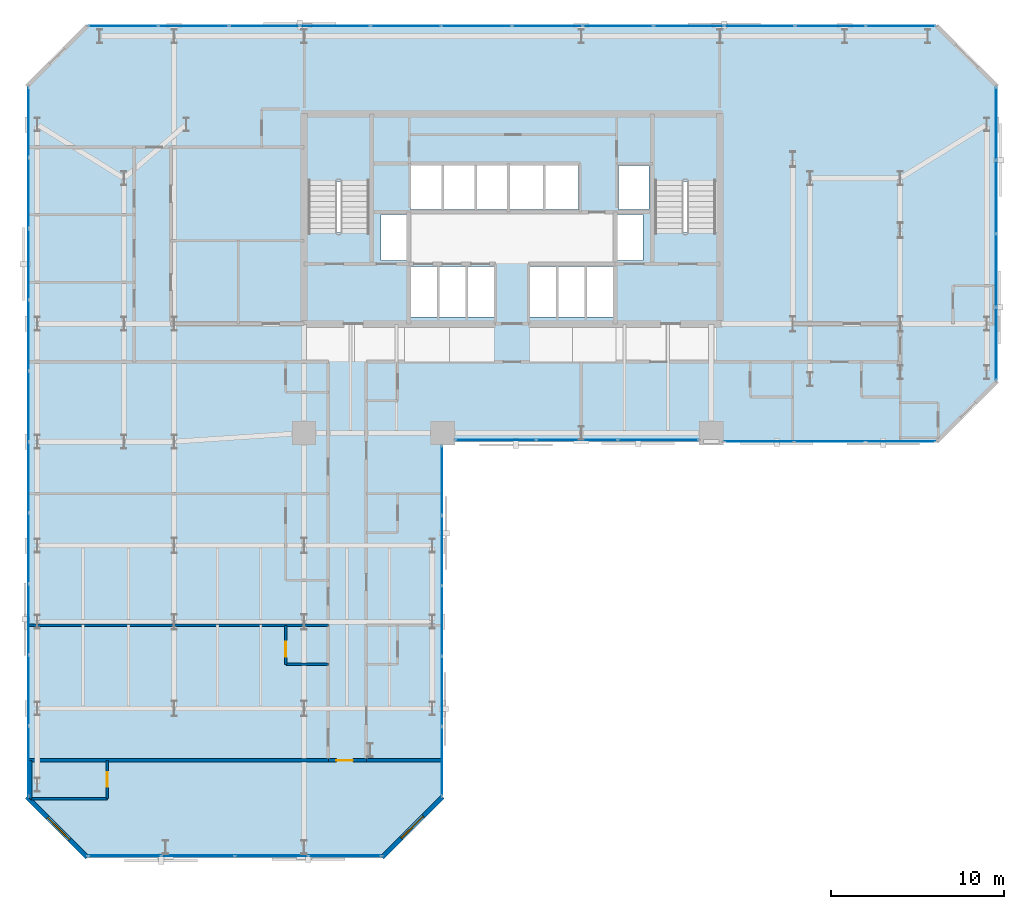
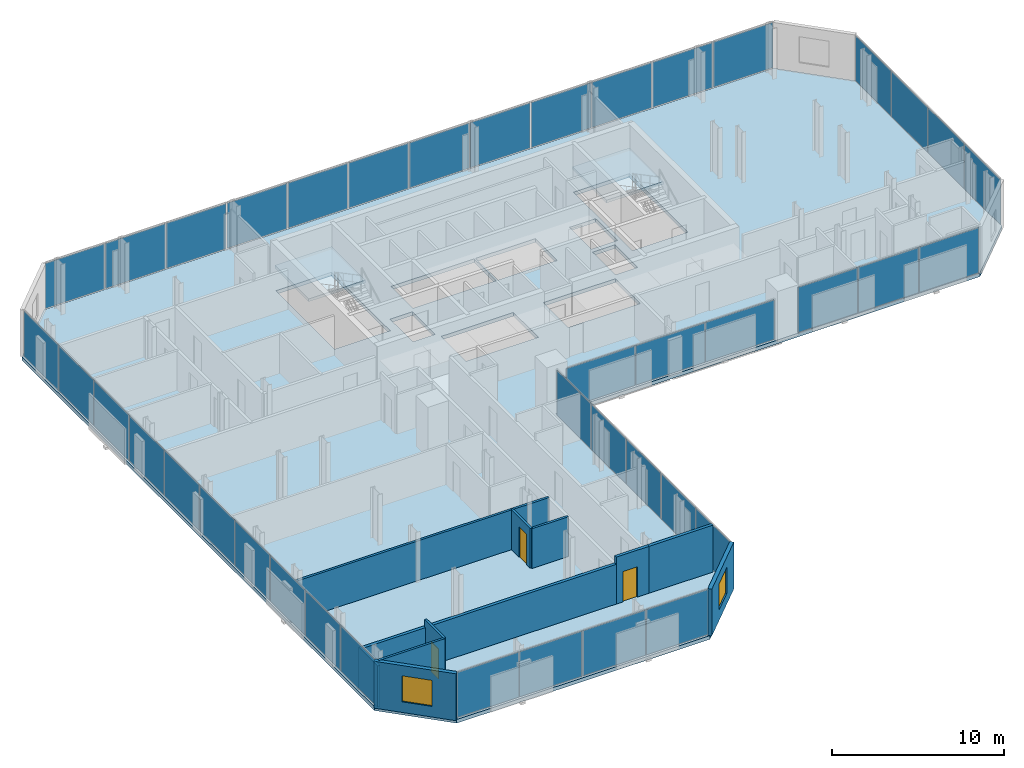
# One storey, part 28 of 33: 41 plates, 11 walls, 3 doors, 3 slabs, 2 windows, 5 openings, 9 elements without a shape of their own.
"""IFC4 building model written with IfcOpenShell, lengths in metres."""

from ifc_helpers import new_model, si_unit, direction, frame, frame_2d, origin, origin_2d, place, context, subcontext, project, spatial, polyline, rectangle, outline, extrude, material, layer, layer_set, type_object, element, fill, aggregate, save


model = new_model("IFC4")

# Units and contexts
model_context = context("Model", 3, precision=1e-05, world=origin(), true_north=direction((0.0, 1.0)))
body_context = subcontext(model_context, "Body", "Model", "MODEL_VIEW")
ifc_project = project(units=[si_unit("LENGTHUNIT", "METRE"), si_unit("AREAUNIT", "SQUARE_METRE"), si_unit("VOLUMEUNIT", "CUBIC_METRE"), si_unit("PLANEANGLEUNIT", "RADIAN"), si_unit("MASSUNIT", "GRAM", prefix="KILO")], contexts=[model_context])

# Site, building, storey
site_placement = place(None, origin())
site = spatial("IfcSite", under=ifc_project, at=site_placement, CompositionType="ELEMENT")
building_placement = place(site_placement, origin())
building = spatial("IfcBuilding", under=site, at=building_placement, Name="Catumbela Crestline Tower", CompositionType="ELEMENT")
storey_placement = place(building_placement, frame((0.0, 0.0, 43.8)))
storey = spatial("IfcBuildingStorey", under=building, at=storey_placement, Name="L10", CompositionType="ELEMENT", Elevation=43.8)

# Curtain wall, plates
ifc_material_1 = material(Name="Aluminium alloy AW-6060-T66", Category="aluminium")
ifc_layer_1 = layer(ifc_material_1, 0.18, Name="Aluminium alloy AW-6060-T66")
ifc_layer_set_1 = layer_set([ifc_layer_1], Name="Aluminium alloy AW-6060-T66")
curtain_wall_type = type_object("IfcCurtainWallType", Name="CWU-Z1", PredefinedType="USERDEFINED", material=ifc_layer_set_1)
curtain_wall_1_placement = place(storey_placement, origin())
curtain_wall_1 = element("IfcCurtainWall", 1, at=curtain_wall_1_placement, inside=storey, type_object=curtain_wall_type, Name="L10 Unitised Curtain Wall CW-L10-E0S1", ObjectType="UNITISED", PredefinedType="USERDEFINED")
ifc_material_2 = material(Name="Low-E laminated solar-control double glazing", Category="glass")
ifc_layer_2 = layer(ifc_material_2, 0.034, Name="Low-E laminated solar-control double glazing")
ifc_layer_set_2 = layer_set([ifc_layer_2], Name="Low-E laminated solar-control double glazing")
plate_type = type_object("IfcPlateType", Name="PNL-GLZ-Z1", PredefinedType="CURTAIN_PANEL", material=ifc_layer_set_2)
plate_1_placement = place(storey_placement, frame((5.6412, 0.1, 0.06), z_axis=(0.0, 0.0, 1.0), x_axis=(1.0, 0.0, 0.0)))
plate_1 = element("IfcPlate", 2, at=plate_1_placement, type_object=plate_type, Name="CWU-Z1 panel 1.1", PredefinedType="CURTAIN_PANEL", context=body_context, shape_type="SweptSolid", body=[
    extrude(rectangle(XDim=4.1525, YDim=0.034, at=origin_2d()), origin(), (0.0, 0.0, 1.0), 3.21),
])
plate_2_placement = place(storey_placement, frame((9.875, 0.1, 0.06), z_axis=(0.0, 0.0, 1.0), x_axis=(1.0, 0.0, 0.0)))
plate_2 = element("IfcPlate", 3, at=plate_2_placement, type_object=plate_type, Name="CWU-Z1 panel 2.1", PredefinedType="CURTAIN_PANEL", context=body_context, shape_type="SweptSolid", body=[
    extrude(rectangle(XDim=4.185, YDim=0.034, at=origin_2d()), origin(), (0.0, 0.0, 1.0), 3.21),
])
plate_3_placement = place(storey_placement, frame((14.125, 0.1, 0.06), z_axis=(0.0, 0.0, 1.0), x_axis=(1.0, 0.0, 0.0)))
plate_3 = element("IfcPlate", 4, at=plate_3_placement, type_object=plate_type, Name="CWU-Z1 panel 3.1", PredefinedType="CURTAIN_PANEL", context=body_context, shape_type="SweptSolid", body=[
    extrude(rectangle(XDim=4.185, YDim=0.034, at=origin_2d()), origin(), (0.0, 0.0, 1.0), 3.21),
])
plate_4_placement = place(storey_placement, frame((18.3588, 0.1, 0.06), z_axis=(0.0, 0.0, 1.0), x_axis=(1.0, 0.0, 0.0)))
plate_4 = element("IfcPlate", 5, at=plate_4_placement, type_object=plate_type, Name="CWU-Z1 panel 4.1", PredefinedType="CURTAIN_PANEL", context=body_context, shape_type="SweptSolid", body=[
    extrude(rectangle(XDim=4.1525, YDim=0.034, at=origin_2d()), origin(), (0.0, 0.0, 1.0), 3.21),
])
aggregate(curtain_wall_1, [plate_1, plate_2, plate_3, plate_4])

curtain_wall_2_placement = place(storey_placement, origin())
curtain_wall_2 = element("IfcCurtainWall", 6, at=curtain_wall_2_placement, inside=storey, type_object=curtain_wall_type, Name="L10 Unitised Curtain Wall CW-L10-E2S1", ObjectType="UNITISED", PredefinedType="USERDEFINED")
plate_5_placement = place(storey_placement, frame((23.95, 5.5462, 0.06), z_axis=(0.0, 0.0, 1.0), x_axis=(0.0, 1.0, 0.0)))
plate_5 = element("IfcPlate", 7, at=plate_5_placement, type_object=plate_type, Name="CWU-Z1 panel 1.1", PredefinedType="CURTAIN_PANEL", context=body_context, shape_type="SweptSolid", body=[
    extrude(rectangle(XDim=3.9625, YDim=0.034, at=origin_2d()), origin(), (0.0, 0.0, 1.0), 3.21),
])
plate_6_placement = place(storey_placement, frame((23.95, 9.59, 0.06), z_axis=(0.0, 0.0, 1.0), x_axis=(0.0, 1.0, 0.0)))
plate_6 = element("IfcPlate", 8, at=plate_6_placement, type_object=plate_type, Name="CWU-Z1 panel 2.1", PredefinedType="CURTAIN_PANEL", context=body_context, shape_type="SweptSolid", body=[
    extrude(rectangle(XDim=3.995, YDim=0.034, at=origin_2d()), origin(), (0.0, 0.0, 1.0), 3.21),
])
plate_7_placement = place(storey_placement, frame((23.95, 13.65, 0.06), z_axis=(0.0, 0.0, 1.0), x_axis=(0.0, 1.0, 0.0)))
plate_7 = element("IfcPlate", 9, at=plate_7_placement, type_object=plate_type, Name="CWU-Z1 panel 3.1", PredefinedType="CURTAIN_PANEL", context=body_context, shape_type="SweptSolid", body=[
    extrude(rectangle(XDim=3.995, YDim=0.034, at=origin_2d()), origin(), (0.0, 0.0, 1.0), 3.21),
])
plate_8_placement = place(storey_placement, frame((23.95, 17.71, 0.06), z_axis=(0.0, 0.0, 1.0), x_axis=(0.0, 1.0, 0.0)))
plate_8 = element("IfcPlate", 10, at=plate_8_placement, type_object=plate_type, Name="CWU-Z1 panel 4.1", PredefinedType="CURTAIN_PANEL", context=body_context, shape_type="SweptSolid", body=[
    extrude(rectangle(XDim=3.995, YDim=0.034, at=origin_2d()), origin(), (0.0, 0.0, 1.0), 3.21),
])
plate_9_placement = place(storey_placement, frame((23.95, 21.7538, 0.06), z_axis=(0.0, 0.0, 1.0), x_axis=(0.0, 1.0, 0.0)))
plate_9 = element("IfcPlate", 11, at=plate_9_placement, type_object=plate_type, Name="CWU-Z1 panel 5.1", PredefinedType="CURTAIN_PANEL", context=body_context, shape_type="SweptSolid", body=[
    extrude(rectangle(XDim=3.9625, YDim=0.034, at=origin_2d()), origin(), (0.0, 0.0, 1.0), 3.21),
])
aggregate(curtain_wall_2, [plate_5, plate_6, plate_7, plate_8, plate_9])

curtain_wall_3_placement = place(storey_placement, origin())
curtain_wall_3 = element("IfcCurtainWall", 12, at=curtain_wall_3_placement, inside=storey, type_object=curtain_wall_type, Name="L10 Unitised Curtain Wall CW-L10-E3S1", ObjectType="UNITISED", PredefinedType="USERDEFINED")
plate_10_placement = place(storey_placement, frame((27.0662, 24.1, 0.06), z_axis=(0.0, 0.0, 1.0), x_axis=(1.0, 0.0, 0.0)))
plate_10 = element("IfcPlate", 13, at=plate_10_placement, type_object=plate_type, Name="CWU-Z1 panel 1.1", PredefinedType="CURTAIN_PANEL", context=body_context, shape_type="SweptSolid", body=[
    extrude(rectangle(XDim=4.6025, YDim=0.034, at=origin_2d()), origin(), (0.0, 0.0, 1.0), 2.81),
])
plate_11_placement = place(storey_placement, frame((31.75, 24.1, 0.06), z_axis=(0.0, 0.0, 1.0), x_axis=(1.0, 0.0, 0.0)))
plate_11 = element("IfcPlate", 14, at=plate_11_placement, type_object=plate_type, Name="CWU-Z1 panel 2.1", PredefinedType="CURTAIN_PANEL", context=body_context, shape_type="SweptSolid", body=[
    extrude(rectangle(XDim=4.635, YDim=0.034, at=origin_2d()), origin(), (0.0, 0.0, 1.0), 2.81),
])
plate_12_placement = place(storey_placement, frame((36.4338, 24.1, 0.06), z_axis=(0.0, 0.0, 1.0), x_axis=(1.0, 0.0, 0.0)))
plate_12 = element("IfcPlate", 15, at=plate_12_placement, type_object=plate_type, Name="CWU-Z1 panel 3.1", PredefinedType="CURTAIN_PANEL", context=body_context, shape_type="SweptSolid", body=[
    extrude(rectangle(XDim=4.6025, YDim=0.034, at=origin_2d()), origin(), (0.0, 0.0, 1.0), 2.81),
])
aggregate(curtain_wall_3, [plate_10, plate_11, plate_12])

curtain_wall_4_placement = place(storey_placement, origin())
curtain_wall_4 = element("IfcCurtainWall", 16, at=curtain_wall_4_placement, inside=storey, type_object=curtain_wall_type, Name="L10 Unitised Curtain Wall CW-L10-E3S2", ObjectType="UNITISED", PredefinedType="USERDEFINED")
plate_13_placement = place(storey_placement, frame((42.2662, 24.0, 0.06), z_axis=(0.0, 0.0, 1.0), x_axis=(1.0, 0.0, 0.0)))
plate_13 = element("IfcPlate", 17, at=plate_13_placement, type_object=plate_type, Name="CWU-Z1 panel 1.1", PredefinedType="CURTAIN_PANEL", context=body_context, shape_type="SweptSolid", body=[
    extrude(rectangle(XDim=4.0025, YDim=0.034, at=origin_2d()), origin(), (0.0, 0.0, 1.0), 3.21),
])
plate_14_placement = place(storey_placement, frame((46.35, 24.0, 0.06), z_axis=(0.0, 0.0, 1.0), x_axis=(1.0, 0.0, 0.0)))
plate_14 = element("IfcPlate", 18, at=plate_14_placement, type_object=plate_type, Name="CWU-Z1 panel 2.1", PredefinedType="CURTAIN_PANEL", context=body_context, shape_type="SweptSolid", body=[
    extrude(rectangle(XDim=4.035, YDim=0.034, at=origin_2d()), origin(), (0.0, 0.0, 1.0), 3.21),
])
plate_15_placement = place(storey_placement, frame((50.4338, 24.0, 0.06), z_axis=(0.0, 0.0, 1.0), x_axis=(1.0, 0.0, 0.0)))
plate_15 = element("IfcPlate", 19, at=plate_15_placement, type_object=plate_type, Name="CWU-Z1 panel 3.1", PredefinedType="CURTAIN_PANEL", context=body_context, shape_type="SweptSolid", body=[
    extrude(rectangle(XDim=4.0025, YDim=0.034, at=origin_2d()), origin(), (0.0, 0.0, 1.0), 3.21),
])
aggregate(curtain_wall_4, [plate_13, plate_14, plate_15])

curtain_wall_5_placement = place(storey_placement, origin())
curtain_wall_5 = element("IfcCurtainWall", 20, at=curtain_wall_5_placement, inside=storey, type_object=curtain_wall_type, Name="L10 Unitised Curtain Wall CW-L10-E5S1", ObjectType="UNITISED", PredefinedType="USERDEFINED")
plate_16_placement = place(storey_placement, frame((55.95, 29.6412, 0.06), z_axis=(0.0, 0.0, 1.0), x_axis=(0.0, 1.0, 0.0)))
plate_16 = element("IfcPlate", 21, at=plate_16_placement, type_object=plate_type, Name="CWU-Z1 panel 1.1", PredefinedType="CURTAIN_PANEL", context=body_context, shape_type="SweptSolid", body=[
    extrude(rectangle(XDim=4.1525, YDim=0.034, at=origin_2d()), origin(), (0.0, 0.0, 1.0), 3.21),
])
plate_17_placement = place(storey_placement, frame((55.95, 33.875, 0.06), z_axis=(0.0, 0.0, 1.0), x_axis=(0.0, 1.0, 0.0)))
plate_17 = element("IfcPlate", 22, at=plate_17_placement, type_object=plate_type, Name="CWU-Z1 panel 2.1", PredefinedType="CURTAIN_PANEL", context=body_context, shape_type="SweptSolid", body=[
    extrude(rectangle(XDim=4.185, YDim=0.034, at=origin_2d()), origin(), (0.0, 0.0, 1.0), 3.21),
])
plate_18_placement = place(storey_placement, frame((55.95, 38.125, 0.06), z_axis=(0.0, 0.0, 1.0), x_axis=(0.0, 1.0, 0.0)))
plate_18 = element("IfcPlate", 23, at=plate_18_placement, type_object=plate_type, Name="CWU-Z1 panel 3.1", PredefinedType="CURTAIN_PANEL", context=body_context, shape_type="SweptSolid", body=[
    extrude(rectangle(XDim=4.185, YDim=0.034, at=origin_2d()), origin(), (0.0, 0.0, 1.0), 3.21),
])
plate_19_placement = place(storey_placement, frame((55.95, 42.3588, 0.06), z_axis=(0.0, 0.0, 1.0), x_axis=(0.0, 1.0, 0.0)))
plate_19 = element("IfcPlate", 24, at=plate_19_placement, type_object=plate_type, Name="CWU-Z1 panel 4.1", PredefinedType="CURTAIN_PANEL", context=body_context, shape_type="SweptSolid", body=[
    extrude(rectangle(XDim=4.1525, YDim=0.034, at=origin_2d()), origin(), (0.0, 0.0, 1.0), 3.21),
])
aggregate(curtain_wall_5, [plate_16, plate_17, plate_18, plate_19])

curtain_wall_6_placement = place(storey_placement, origin())
curtain_wall_6 = element("IfcCurtainWall", 25, at=curtain_wall_6_placement, inside=storey, type_object=curtain_wall_type, Name="L10 Unitised Curtain Wall CW-L10-E7S1", ObjectType="UNITISED", PredefinedType="USERDEFINED")
plate_20_placement = place(storey_placement, frame((50.4421, 48.0, 0.06), z_axis=(0.0, 0.0, 1.0), x_axis=(-1.0, 0.0, 0.0)))
plate_20 = element("IfcPlate", 26, at=plate_20_placement, type_object=plate_type, Name="CWU-Z1 panel 1.1", PredefinedType="CURTAIN_PANEL", context=body_context, shape_type="SweptSolid", body=[
    extrude(rectangle(XDim=3.9858, YDim=0.034, at=origin_2d()), origin(), (0.0, 0.0, 1.0), 3.21),
])
plate_21_placement = place(storey_placement, frame((46.375, 48.0, 0.06), z_axis=(0.0, 0.0, 1.0), x_axis=(-1.0, 0.0, 0.0)))
plate_21 = element("IfcPlate", 27, at=plate_21_placement, type_object=plate_type, Name="CWU-Z1 panel 2.1", PredefinedType="CURTAIN_PANEL", context=body_context, shape_type="SweptSolid", body=[
    extrude(rectangle(XDim=4.0183, YDim=0.034, at=origin_2d()), origin(), (0.0, 0.0, 1.0), 3.21),
])
plate_22_placement = place(storey_placement, frame((42.2917, 48.0, 0.06), z_axis=(0.0, 0.0, 1.0), x_axis=(-1.0, 0.0, 0.0)))
plate_22 = element("IfcPlate", 28, at=plate_22_placement, type_object=plate_type, Name="CWU-Z1 panel 3.1", PredefinedType="CURTAIN_PANEL", context=body_context, shape_type="SweptSolid", body=[
    extrude(rectangle(XDim=4.0183, YDim=0.034, at=origin_2d()), origin(), (0.0, 0.0, 1.0), 3.21),
])
plate_23_placement = place(storey_placement, frame((38.2083, 48.0, 0.06), z_axis=(0.0, 0.0, 1.0), x_axis=(-1.0, 0.0, 0.0)))
plate_23 = element("IfcPlate", 29, at=plate_23_placement, type_object=plate_type, Name="CWU-Z1 panel 4.1", PredefinedType="CURTAIN_PANEL", context=body_context, shape_type="SweptSolid", body=[
    extrude(rectangle(XDim=4.0183, YDim=0.034, at=origin_2d()), origin(), (0.0, 0.0, 1.0), 3.21),
])
plate_24_placement = place(storey_placement, frame((34.125, 48.0, 0.06), z_axis=(0.0, 0.0, 1.0), x_axis=(-1.0, 0.0, 0.0)))
plate_24 = element("IfcPlate", 30, at=plate_24_placement, type_object=plate_type, Name="CWU-Z1 panel 5.1", PredefinedType="CURTAIN_PANEL", context=body_context, shape_type="SweptSolid", body=[
    extrude(rectangle(XDim=4.0183, YDim=0.034, at=origin_2d()), origin(), (0.0, 0.0, 1.0), 3.21),
])
plate_25_placement = place(storey_placement, frame((30.0417, 48.0, 0.06), z_axis=(0.0, 0.0, 1.0), x_axis=(-1.0, 0.0, 0.0)))
plate_25 = element("IfcPlate", 31, at=plate_25_placement, type_object=plate_type, Name="CWU-Z1 panel 6.1", PredefinedType="CURTAIN_PANEL", context=body_context, shape_type="SweptSolid", body=[
    extrude(rectangle(XDim=4.0183, YDim=0.034, at=origin_2d()), origin(), (0.0, 0.0, 1.0), 3.21),
])
plate_26_placement = place(storey_placement, frame((25.9583, 48.0, 0.06), z_axis=(0.0, 0.0, 1.0), x_axis=(-1.0, 0.0, 0.0)))
plate_26 = element("IfcPlate", 32, at=plate_26_placement, type_object=plate_type, Name="CWU-Z1 panel 7.1", PredefinedType="CURTAIN_PANEL", context=body_context, shape_type="SweptSolid", body=[
    extrude(rectangle(XDim=4.0183, YDim=0.034, at=origin_2d()), origin(), (0.0, 0.0, 1.0), 3.21),
])
plate_27_placement = place(storey_placement, frame((21.875, 48.0, 0.06), z_axis=(0.0, 0.0, 1.0), x_axis=(-1.0, 0.0, 0.0)))
plate_27 = element("IfcPlate", 33, at=plate_27_placement, type_object=plate_type, Name="CWU-Z1 panel 8.1", PredefinedType="CURTAIN_PANEL", context=body_context, shape_type="SweptSolid", body=[
    extrude(rectangle(XDim=4.0183, YDim=0.034, at=origin_2d()), origin(), (0.0, 0.0, 1.0), 3.21),
])
plate_28_placement = place(storey_placement, frame((17.7917, 48.0, 0.06), z_axis=(0.0, 0.0, 1.0), x_axis=(-1.0, 0.0, 0.0)))
plate_28 = element("IfcPlate", 34, at=plate_28_placement, type_object=plate_type, Name="CWU-Z1 panel 9.1", PredefinedType="CURTAIN_PANEL", context=body_context, shape_type="SweptSolid", body=[
    extrude(rectangle(XDim=4.0183, YDim=0.034, at=origin_2d()), origin(), (0.0, 0.0, 1.0), 3.21),
])
plate_29_placement = place(storey_placement, frame((13.7083, 48.0, 0.06), z_axis=(0.0, 0.0, 1.0), x_axis=(-1.0, 0.0, 0.0)))
plate_29 = element("IfcPlate", 35, at=plate_29_placement, type_object=plate_type, Name="CWU-Z1 panel 10.1", PredefinedType="CURTAIN_PANEL", context=body_context, shape_type="SweptSolid", body=[
    extrude(rectangle(XDim=4.0183, YDim=0.034, at=origin_2d()), origin(), (0.0, 0.0, 1.0), 3.21),
])
plate_30_placement = place(storey_placement, frame((9.625, 48.0, 0.06), z_axis=(0.0, 0.0, 1.0), x_axis=(-1.0, 0.0, 0.0)))
plate_30 = element("IfcPlate", 36, at=plate_30_placement, type_object=plate_type, Name="CWU-Z1 panel 11.1", PredefinedType="CURTAIN_PANEL", context=body_context, shape_type="SweptSolid", body=[
    extrude(rectangle(XDim=4.0183, YDim=0.034, at=origin_2d()), origin(), (0.0, 0.0, 1.0), 3.21),
])
plate_31_placement = place(storey_placement, frame((5.5579, 48.0, 0.06), z_axis=(0.0, 0.0, 1.0), x_axis=(-1.0, 0.0, 0.0)))
plate_31 = element("IfcPlate", 37, at=plate_31_placement, type_object=plate_type, Name="CWU-Z1 panel 12.1", PredefinedType="CURTAIN_PANEL", context=body_context, shape_type="SweptSolid", body=[
    extrude(rectangle(XDim=3.9858, YDim=0.034, at=origin_2d()), origin(), (0.0, 0.0, 1.0), 3.21),
])
aggregate(curtain_wall_6, [plate_20, plate_21, plate_22, plate_23, plate_24, plate_25, plate_26, plate_27, plate_28, plate_29, plate_30, plate_31])

curtain_wall_7_placement = place(storey_placement, origin())
curtain_wall_7 = element("IfcCurtainWall", 38, at=curtain_wall_7_placement, inside=storey, type_object=curtain_wall_type, Name="L10 Unitised Curtain Wall CW-L10-E9S1", ObjectType="UNITISED", PredefinedType="USERDEFINED")
plate_32_placement = place(storey_placement, frame((0.1, 42.4338, 0.06), z_axis=(0.0, 0.0, 1.0), x_axis=(0.0, -1.0, 0.0)))
plate_32 = element("IfcPlate", 39, at=plate_32_placement, type_object=plate_type, Name="CWU-Z1 panel 1.1", PredefinedType="CURTAIN_PANEL", context=body_context, shape_type="SweptSolid", body=[
    extrude(rectangle(XDim=4.0025, YDim=0.034, at=origin_2d()), origin(), (0.0, 0.0, 1.0), 3.21),
])
plate_33_placement = place(storey_placement, frame((0.1, 38.35, 0.06), z_axis=(0.0, 0.0, 1.0), x_axis=(0.0, -1.0, 0.0)))
plate_33 = element("IfcPlate", 40, at=plate_33_placement, type_object=plate_type, Name="CWU-Z1 panel 2.1", PredefinedType="CURTAIN_PANEL", context=body_context, shape_type="SweptSolid", body=[
    extrude(rectangle(XDim=4.035, YDim=0.034, at=origin_2d()), origin(), (0.0, 0.0, 1.0), 3.21),
])
plate_34_placement = place(storey_placement, frame((0.1, 34.25, 0.06), z_axis=(0.0, 0.0, 1.0), x_axis=(0.0, -1.0, 0.0)))
plate_34 = element("IfcPlate", 41, at=plate_34_placement, type_object=plate_type, Name="CWU-Z1 panel 3.1", PredefinedType="CURTAIN_PANEL", context=body_context, shape_type="SweptSolid", body=[
    extrude(rectangle(XDim=4.035, YDim=0.034, at=origin_2d()), origin(), (0.0, 0.0, 1.0), 3.21),
])
plate_35_placement = place(storey_placement, frame((0.1, 30.15, 0.06), z_axis=(0.0, 0.0, 1.0), x_axis=(0.0, -1.0, 0.0)))
plate_35 = element("IfcPlate", 42, at=plate_35_placement, type_object=plate_type, Name="CWU-Z1 panel 4.1", PredefinedType="CURTAIN_PANEL", context=body_context, shape_type="SweptSolid", body=[
    extrude(rectangle(XDim=4.035, YDim=0.034, at=origin_2d()), origin(), (0.0, 0.0, 1.0), 3.21),
])
plate_36_placement = place(storey_placement, frame((0.1, 26.05, 0.06), z_axis=(0.0, 0.0, 1.0), x_axis=(0.0, -1.0, 0.0)))
plate_36 = element("IfcPlate", 43, at=plate_36_placement, type_object=plate_type, Name="CWU-Z1 panel 5.1", PredefinedType="CURTAIN_PANEL", context=body_context, shape_type="SweptSolid", body=[
    extrude(rectangle(XDim=4.035, YDim=0.034, at=origin_2d()), origin(), (0.0, 0.0, 1.0), 3.21),
])
plate_37_placement = place(storey_placement, frame((0.1, 21.95, 0.06), z_axis=(0.0, 0.0, 1.0), x_axis=(0.0, -1.0, 0.0)))
plate_37 = element("IfcPlate", 44, at=plate_37_placement, type_object=plate_type, Name="CWU-Z1 panel 6.1", PredefinedType="CURTAIN_PANEL", context=body_context, shape_type="SweptSolid", body=[
    extrude(rectangle(XDim=4.035, YDim=0.034, at=origin_2d()), origin(), (0.0, 0.0, 1.0), 3.21),
])
plate_38_placement = place(storey_placement, frame((0.1, 17.85, 0.06), z_axis=(0.0, 0.0, 1.0), x_axis=(0.0, -1.0, 0.0)))
plate_38 = element("IfcPlate", 45, at=plate_38_placement, type_object=plate_type, Name="CWU-Z1 panel 7.1", PredefinedType="CURTAIN_PANEL", context=body_context, shape_type="SweptSolid", body=[
    extrude(rectangle(XDim=4.035, YDim=0.034, at=origin_2d()), origin(), (0.0, 0.0, 1.0), 3.21),
])
plate_39_placement = place(storey_placement, frame((0.1, 13.75, 0.06), z_axis=(0.0, 0.0, 1.0), x_axis=(0.0, -1.0, 0.0)))
plate_39 = element("IfcPlate", 46, at=plate_39_placement, type_object=plate_type, Name="CWU-Z1 panel 8.1", PredefinedType="CURTAIN_PANEL", context=body_context, shape_type="SweptSolid", body=[
    extrude(rectangle(XDim=4.035, YDim=0.034, at=origin_2d()), origin(), (0.0, 0.0, 1.0), 3.21),
])
plate_40_placement = place(storey_placement, frame((0.1, 9.65, 0.06), z_axis=(0.0, 0.0, 1.0), x_axis=(0.0, -1.0, 0.0)))
plate_40 = element("IfcPlate", 47, at=plate_40_placement, type_object=plate_type, Name="CWU-Z1 panel 9.1", PredefinedType="CURTAIN_PANEL", context=body_context, shape_type="SweptSolid", body=[
    extrude(rectangle(XDim=4.035, YDim=0.034, at=origin_2d()), origin(), (0.0, 0.0, 1.0), 3.21),
])
plate_41_placement = place(storey_placement, frame((0.1, 5.5662, 0.06), z_axis=(0.0, 0.0, 1.0), x_axis=(0.0, -1.0, 0.0)))
plate_41 = element("IfcPlate", 48, at=plate_41_placement, type_object=plate_type, Name="CWU-Z1 panel 10.1", PredefinedType="CURTAIN_PANEL", context=body_context, shape_type="SweptSolid", body=[
    extrude(rectangle(XDim=4.0025, YDim=0.034, at=origin_2d()), origin(), (0.0, 0.0, 1.0), 3.21),
])
aggregate(curtain_wall_7, [plate_32, plate_33, plate_34, plate_35, plate_36, plate_37, plate_38, plate_39, plate_40, plate_41])

# Stair, slab
ifc_material_3 = material(Name="Concrete C45/55", Category="concrete")
stair_type = type_object("IfcStairType", Name="ST-DLG", PredefinedType="HALF_TURN_STAIR", material=ifc_material_3)
stair_1_placement = place(storey_placement, origin())
stair_1 = element("IfcStair", 49, at=stair_1_placement, inside=storey, type_object=stair_type, Name="L10 West Core Pressurised Exit Stair ST-01", PredefinedType="HALF_TURN_STAIR")
ifc_layer_3 = layer(ifc_material_3, 0.2, Name="Concrete C45/55")
ifc_layer_set_3 = layer_set([ifc_layer_3], Name="Concrete C45/55")
slab_type_1 = type_object("IfcSlabType", Name="SL-LND", PredefinedType="LANDING", material=ifc_layer_set_3)
slab_1_placement = place(storey_placement, frame((0.0, 0.0, 1.6)))
slab_1 = element("IfcSlab", 50, at=slab_1_placement, type_object=slab_type_1, Name="ST-01 landing 1", PredefinedType="LANDING", context=body_context, shape_type="SweptSolid", body=[
    extrude(outline(polyline([(19.91, 39.02), (19.91, 42.96), (16.09, 42.96), (16.09, 39.02), (19.91, 39.02)])), origin(), (0.0, 0.0, 1.0), 0.2),
])
aggregate(stair_1, [slab_1])

stair_2_placement = place(storey_placement, origin())
stair_2 = element("IfcStair", 51, at=stair_2_placement, inside=storey, type_object=stair_type, Name="L10 East Core Pressurised Exit Stair ST-02", PredefinedType="HALF_TURN_STAIR")
slab_2_placement = place(storey_placement, frame((0.0, 0.0, 1.6)))
slab_2 = element("IfcSlab", 52, at=slab_2_placement, type_object=slab_type_1, Name="ST-02 landing 1", PredefinedType="LANDING", context=body_context, shape_type="SweptSolid", body=[
    extrude(outline(polyline([(39.91, 39.02), (39.91, 42.96), (36.09, 42.96), (36.09, 39.02), (39.91, 39.02)])), origin(), (0.0, 0.0, 1.0), 0.2),
])
aggregate(stair_2, [slab_2])

# Slab
ifc_layer_4 = layer(ifc_material_3, 0.26, Name="Concrete C45/55")
ifc_layer_set_4 = layer_set([ifc_layer_4], Name="Concrete C45/55")
slab_type_2 = type_object("IfcSlabType", Name="SL-260", PredefinedType="FLOOR", material=ifc_layer_set_4)
slab_3_placement = place(storey_placement, frame((0.0, 0.0, -0.26)))
element("IfcSlab", 53, at=slab_3_placement, inside=storey, type_object=slab_type_2, Name="L10 Structural Floor Slab", PredefinedType="FLOOR", context=body_context, shape_type="SweptSolid", body=[
    extrude(outline(polyline([(3.5, 0.0), (20.5, 0.0), (24.0, 3.5), (24.0, 24.0), (52.5, 24.0), (56.0, 27.5), (56.0, 44.5), (52.5, 48.0), (3.5, 48.0), (0.0, 44.5), (0.0, 3.5), (3.5, 0.0)]), holes=[polyline([(16.13, 36.08), (19.87, 36.08), (19.87, 42.92), (16.13, 42.92), (16.13, 36.08)]), polyline([(36.13, 36.08), (39.87, 36.08), (39.87, 42.92), (36.13, 42.92), (36.13, 36.08)]), polyline([(22.15, 31.2), (27.0, 31.2), (27.0, 34.1), (22.15, 34.1), (22.15, 31.2)]), polyline([(29.0, 31.2), (33.85, 31.2), (33.85, 34.1), (29.0, 34.1), (29.0, 31.2)]), polyline([(22.15, 37.4), (27.75, 37.4), (27.75, 39.95), (22.15, 39.95), (22.15, 37.4)]), polyline([(27.85, 37.4), (31.85, 37.4), (31.85, 39.95), (27.85, 39.95), (27.85, 37.4)]), polyline([(20.45, 34.45), (21.95, 34.45), (21.95, 37.1), (20.45, 37.1), (20.45, 34.45)]), polyline([(34.05, 34.45), (35.55, 34.45), (35.55, 37.1), (34.05, 37.1), (34.05, 34.45)]), polyline([(34.15, 37.4), (35.9, 37.4), (35.9, 39.95), (34.15, 39.95), (34.15, 37.4)])]), origin(), (0.0, 0.0, 1.0), 0.26),
])

# Wall, opening, door
ifc_material_4 = material(Name="Acoustic gypsum and mineral-wool partition")
ifc_layer_5 = layer(ifc_material_4, 0.2, Name="Acoustic gypsum and mineral-wool partition")
ifc_layer_set_5 = layer_set([ifc_layer_5], Name="Acoustic gypsum and mineral-wool partition")
wall_type_1 = type_object("IfcWallType", Name="WC-200", PredefinedType="PARTITIONING", material=ifc_layer_set_5)
wall_1_placement = place(storey_placement, frame((17.4, 5.6, 0.0), z_axis=(0.0, 0.0, 1.0), x_axis=(1.0, 0.0, 0.0)))
wall_1 = element("IfcWall", 54, at=wall_1_placement, inside=storey, type_object=wall_type_1, Name="L10 Interior Partition PW-L10-WTIP-ENT", PredefinedType="PARTITIONING", context=body_context, shape_type="SweptSolid", body=[
    extrude(rectangle(XDim=2.2, YDim=0.2, at=frame_2d((1.1, 0.0))), origin(), (0.0, 0.0, 1.0), 3.33),
])
opening_1_placement = place(wall_1_placement, frame((0.46, 0.0, 0.0)))
opening_1 = element("IfcOpeningElement", 55, at=opening_1_placement, cuts=wall_1, Name="Opening DF6-095", PredefinedType="OPENING", context=body_context, shape_type="SweptSolid", body=[
    extrude(rectangle(XDim=0.95, YDim=2.15, at=frame_2d((0.475, 1.075))), frame((0.0, 0.11, 0.0), z_axis=(0.0, -1.0, 0.0), x_axis=(1.0, 0.0, 0.0)), (0.0, 0.0, 1.0), 0.22),
])
door_type_1 = type_object("IfcDoorType", Name="DF6-095", OperationType="NOTDEFINED", PredefinedType="DOOR", material=ifc_material_1)
door_1_placement = place(opening_1_placement, origin())
door_1 = element("IfcDoor", 56, at=door_1_placement, inside=storey, type_object=door_type_1, Name="L10 Interior Door DR-L10-WTIP-ENT", OperationType="SINGLE_SWING_LEFT", OverallHeight=2.15, OverallWidth=0.95, PredefinedType="DOOR", context=body_context, shape_type="SweptSolid", body=[
    extrude(rectangle(XDim=0.95, YDim=2.15, at=frame_2d((0.475, 1.075))), frame((0.0, 0.025, 0.0), z_axis=(0.0, -1.0, 0.0), x_axis=(1.0, 0.0, 0.0)), (0.0, 0.0, 1.0), 0.05),
])
fill(opening_1, door_1)

# Wall, opening, window
ifc_material_5 = material(Name="Angolan grey-ochre granite", Category="masonry")
ifc_layer_6 = layer(ifc_material_5, 0.25, Name="Angolan grey-ochre granite")
ifc_layer_set_6 = layer_set([ifc_layer_6], Name="Angolan grey-ochre granite")
wall_type_2 = type_object("IfcWallType", Name="WE-250", PredefinedType="STANDARD", material=ifc_layer_set_6)
wall_2_placement = place(storey_placement, frame((20.5, 0.0, 0.0), z_axis=(0.0, 0.0, 1.0), x_axis=(0.707106781187, 0.707106781187, 0.0)))
wall_2 = element("IfcWall", 57, at=wall_2_placement, inside=storey, type_object=wall_type_2, Name="L10 Granite Punched Window Wall 1-1", PredefinedType="STANDARD", context=body_context, shape_type="SweptSolid", body=[
    extrude(rectangle(XDim=4.9497, YDim=0.25, at=frame_2d((2.4748, 0.0))), origin(), (0.0, 0.0, 1.0), 3.33),
])
opening_2_placement = place(wall_2_placement, frame((1.5749, 0.0, 0.75)))
opening_2 = element("IfcOpeningElement", 58, at=opening_2_placement, cuts=wall_2, Name="Opening WN-01", PredefinedType="OPENING", context=body_context, shape_type="SweptSolid", body=[
    extrude(rectangle(XDim=1.8, YDim=1.85, at=frame_2d((0.9, 0.925))), frame((0.0, 0.135, 0.0), z_axis=(0.0, -1.0, 0.0), x_axis=(1.0, 0.0, 0.0)), (0.0, 0.0, 1.0), 0.27),
])
window_type = type_object("IfcWindowType", Name="WF-1800", PartitioningType="SINGLE_PANEL", PredefinedType="WINDOW", material=ifc_material_2)
window_1_placement = place(opening_2_placement, origin())
window_1 = element("IfcWindow", 59, at=window_1_placement, inside=storey, type_object=window_type, Name="L10 Facade Vision Window 73", OverallHeight=1.85, OverallWidth=1.8, PartitioningType="SINGLE_PANEL", PredefinedType="WINDOW", context=body_context, shape_type="SweptSolid", body=[
    extrude(rectangle(XDim=1.8, YDim=1.85, at=frame_2d((0.9, 0.925))), frame((0.0, 0.03, 0.0), z_axis=(0.0, -1.0, 0.0), x_axis=(1.0, 0.0, 0.0)), (0.0, 0.0, 1.0), 0.06),
])
fill(opening_2, window_1)

wall_3_placement = place(storey_placement, frame((0.0, 3.5, 0.0), z_axis=(0.0, 0.0, 1.0), x_axis=(0.707106781187, -0.707106781187, 0.0)))
wall_3 = element("IfcWall", 60, at=wall_3_placement, inside=storey, type_object=wall_type_2, Name="L10 Granite Punched Window Wall 10-1", PredefinedType="STANDARD", context=body_context, shape_type="SweptSolid", body=[
    extrude(rectangle(XDim=4.9497, YDim=0.25, at=frame_2d((2.4748, 0.0))), origin(), (0.0, 0.0, 1.0), 3.33),
])
opening_3_placement = place(wall_3_placement, frame((1.6851, 0.0, 0.75)))
opening_3 = element("IfcOpeningElement", 61, at=opening_3_placement, cuts=wall_3, Name="Opening WN-01", PredefinedType="OPENING", context=body_context, shape_type="SweptSolid", body=[
    extrude(rectangle(XDim=1.8, YDim=1.85, at=frame_2d((0.9, 0.925))), frame((0.0, 0.135, 0.0), z_axis=(0.0, -1.0, 0.0), x_axis=(1.0, 0.0, 0.0)), (0.0, 0.0, 1.0), 0.27),
])
window_2_placement = place(opening_3_placement, origin())
window_2 = element("IfcWindow", 62, at=window_2_placement, inside=storey, type_object=window_type, Name="L10 Facade Vision Window 77", OverallHeight=1.85, OverallWidth=1.8, PartitioningType="SINGLE_PANEL", PredefinedType="WINDOW", context=body_context, shape_type="SweptSolid", body=[
    extrude(rectangle(XDim=1.8, YDim=1.85, at=frame_2d((0.9, 0.925))), frame((0.0, 0.03, 0.0), z_axis=(0.0, -1.0, 0.0), x_axis=(1.0, 0.0, 0.0)), (0.0, 0.0, 1.0), 0.06),
])
fill(opening_3, window_2)

# Wall
ifc_layer_7 = layer(ifc_material_4, 0.15, Name="Acoustic gypsum and mineral-wool partition")
ifc_layer_set_7 = layer_set([ifc_layer_7], Name="Acoustic gypsum and mineral-wool partition")
wall_type_3 = type_object("IfcWallType", Name="WP-150", PredefinedType="PARTITIONING", material=ifc_layer_set_7)
wall_4_placement = place(storey_placement, frame((0.2, 3.4, 0.0), z_axis=(0.0, 0.0, 1.0), x_axis=(1.0, 0.0, 0.0)))
element("IfcWall", 63, at=wall_4_placement, inside=storey, type_object=wall_type_3, Name="L10 Interior Partition PW-L10-WTIP-BHW", PredefinedType="PARTITIONING", context=body_context, shape_type="SweptSolid", body=[
    extrude(rectangle(XDim=4.45, YDim=0.15, at=frame_2d((2.225, 0.0))), origin(), (0.0, 0.0, 1.0), 3.33),
])

# Wall, opening, door
wall_5_placement = place(storey_placement, frame((4.65, 3.4, 0.0), z_axis=(0.0, 0.0, 1.0), x_axis=(0.0, 1.0, 0.0)))
wall_5 = element("IfcWall", 64, at=wall_5_placement, inside=storey, type_object=wall_type_3, Name="L10 Interior Partition PW-L10-WTIP-BEW", PredefinedType="PARTITIONING", context=body_context, shape_type="SweptSolid", body=[
    extrude(rectangle(XDim=2.2, YDim=0.15, at=frame_2d((1.1, 0.0))), origin(), (0.0, 0.0, 1.0), 3.33),
])
opening_4_placement = place(wall_5_placement, frame((0.675, 0.0, 0.0)))
opening_4 = element("IfcOpeningElement", 65, at=opening_4_placement, cuts=wall_5, Name="Opening DI-085", PredefinedType="OPENING", context=body_context, shape_type="SweptSolid", body=[
    extrude(rectangle(XDim=0.85, YDim=2.15, at=frame_2d((0.425, 1.075))), frame((0.0, 0.085, 0.0), z_axis=(0.0, -1.0, 0.0), x_axis=(1.0, 0.0, 0.0)), (0.0, 0.0, 1.0), 0.17),
])
door_type_2 = type_object("IfcDoorType", Name="DI-085", OperationType="NOTDEFINED", PredefinedType="DOOR", material=ifc_material_1)
door_2_placement = place(opening_4_placement, origin())
door_2 = element("IfcDoor", 66, at=door_2_placement, inside=storey, type_object=door_type_2, Name="L10 Interior Door DR-L10-WTIP-BTH", OperationType="SINGLE_SWING_LEFT", OverallHeight=2.15, OverallWidth=0.85, PredefinedType="DOOR", context=body_context, shape_type="SweptSolid", body=[
    extrude(rectangle(XDim=0.85, YDim=2.15, at=frame_2d((0.425, 1.075))), frame((0.0, 0.025, 0.0), z_axis=(0.0, -1.0, 0.0), x_axis=(1.0, 0.0, 0.0)), (0.0, 0.0, 1.0), 0.05),
])
fill(opening_4, door_2)

# Walls
wall_6_placement = place(storey_placement, frame((0.22, 3.38, 0.0), z_axis=(0.0, 0.0, 1.0), x_axis=(0.0, 1.0, 0.0)))
element("IfcWall", 67, at=wall_6_placement, inside=storey, type_object=wall_type_3, Name="L10 Interior Partition PW-L10-WTIP-BCL-3", PredefinedType="PARTITIONING", context=body_context, shape_type="SweptSolid", body=[
    extrude(rectangle(XDim=2.22, YDim=0.15, at=frame_2d((1.11, 0.0))), origin(), (0.0, 0.0, 1.0), 2.93),
])
wall_7_placement = place(storey_placement, frame((14.95, 11.15, 0.0), z_axis=(0.0, 0.0, 1.0), x_axis=(1.0, 0.0, 0.0)))
element("IfcWall", 68, at=wall_7_placement, inside=storey, type_object=wall_type_3, Name="L10 Interior Partition PW-L10-WL1-BSW", PredefinedType="PARTITIONING", context=body_context, shape_type="SweptSolid", body=[
    extrude(rectangle(XDim=2.45, YDim=0.15, at=frame_2d((1.225, 0.0))), origin(), (0.0, 0.0, 1.0), 2.82),
])

# Wall, opening, door
wall_8_placement = place(storey_placement, frame((14.95, 11.15, 0.0), z_axis=(0.0, 0.0, 1.0), x_axis=(0.0, 1.0, 0.0)))
wall_8 = element("IfcWall", 69, at=wall_8_placement, inside=storey, type_object=wall_type_3, Name="L10 Interior Partition PW-L10-WL1-BWW", PredefinedType="PARTITIONING", context=body_context, shape_type="SweptSolid", body=[
    extrude(rectangle(XDim=2.25, YDim=0.15, at=frame_2d((1.125, 0.0))), origin(), (0.0, 0.0, 1.0), 2.82),
])
opening_5_placement = place(wall_8_placement, frame((0.4444, 0.0, 0.0)))
opening_5 = element("IfcOpeningElement", 70, at=opening_5_placement, cuts=wall_8, Name="Opening DI-085", PredefinedType="OPENING", context=body_context, shape_type="SweptSolid", body=[
    extrude(rectangle(XDim=0.85, YDim=2.15, at=frame_2d((0.425, 1.075))), frame((0.0, 0.085, 0.0), z_axis=(0.0, -1.0, 0.0), x_axis=(1.0, 0.0, 0.0)), (0.0, 0.0, 1.0), 0.17),
])
door_3_placement = place(opening_5_placement, origin())
door_3 = element("IfcDoor", 71, at=door_3_placement, inside=storey, type_object=door_type_2, Name="L10 Interior Door DR-L10-WL1-BTH", OperationType="SINGLE_SWING_RIGHT", OverallHeight=2.15, OverallWidth=0.85, PredefinedType="DOOR", context=body_context, shape_type="SweptSolid", body=[
    extrude(rectangle(XDim=0.85, YDim=2.15, at=frame_2d((0.425, 1.075))), frame((0.0, 0.025, 0.0), z_axis=(0.0, -1.0, 0.0), x_axis=(1.0, 0.0, 0.0)), (0.0, 0.0, 1.0), 0.05),
])
fill(opening_5, door_3)

# Walls
wall_9_placement = place(storey_placement, frame((0.1, 13.4, 0.0), z_axis=(0.0, 0.0, 1.0), x_axis=(1.0, 0.0, 0.0)))
element("IfcWall", 72, at=wall_9_placement, inside=storey, type_object=wall_type_3, Name="L10 Interior Partition PW-L10-WL1-BCL-1", PredefinedType="PARTITIONING", context=body_context, shape_type="SweptSolid", body=[
    extrude(rectangle(XDim=17.3, YDim=0.15, at=frame_2d((8.65, 0.0))), origin(), (0.0, 0.0, 1.0), 2.82),
])
ifc_layer_8 = layer(ifc_material_4, 0.2, Name="Acoustic gypsum and mineral-wool partition")
ifc_layer_set_8 = layer_set([ifc_layer_8], Name="Acoustic gypsum and mineral-wool partition")
wall_type_4 = type_object("IfcWallType", Name="WY-200", PredefinedType="PARTITIONING", material=ifc_layer_set_8)
wall_10_placement = place(storey_placement, frame((0.1, 5.6, 0.0), z_axis=(0.0, 0.0, 1.0), x_axis=(1.0, 0.0, 0.0)))
element("IfcWall", 73, at=wall_10_placement, inside=storey, type_object=wall_type_4, Name="L10 Interior Partition PW-L10-WTIP-WL", PredefinedType="PARTITIONING", context=body_context, shape_type="SweptSolid", body=[
    extrude(rectangle(XDim=17.3, YDim=0.2, at=frame_2d((8.65, 0.0))), origin(), (0.0, 0.0, 1.0), 2.82),
])
wall_11_placement = place(storey_placement, frame((19.6, 5.6, 0.0), z_axis=(0.0, 0.0, 1.0), x_axis=(1.0, 0.0, 0.0)))
element("IfcWall", 74, at=wall_11_placement, inside=storey, type_object=wall_type_4, Name="L10 Interior Partition PW-L10-WTIP-WR", PredefinedType="PARTITIONING", context=body_context, shape_type="SweptSolid", body=[
    extrude(rectangle(XDim=4.3, YDim=0.2, at=frame_2d((2.15, 0.0))), origin(), (0.0, 0.0, 1.0), 3.33),
])

save(model, "model.ifc")
